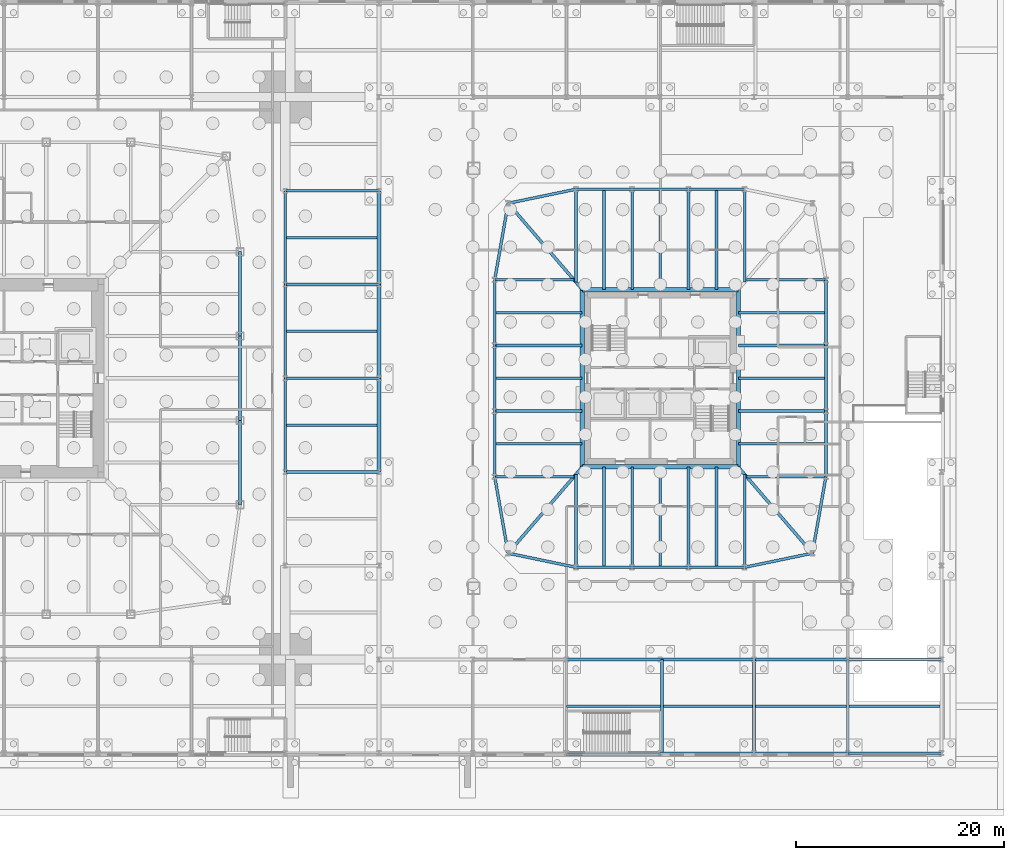
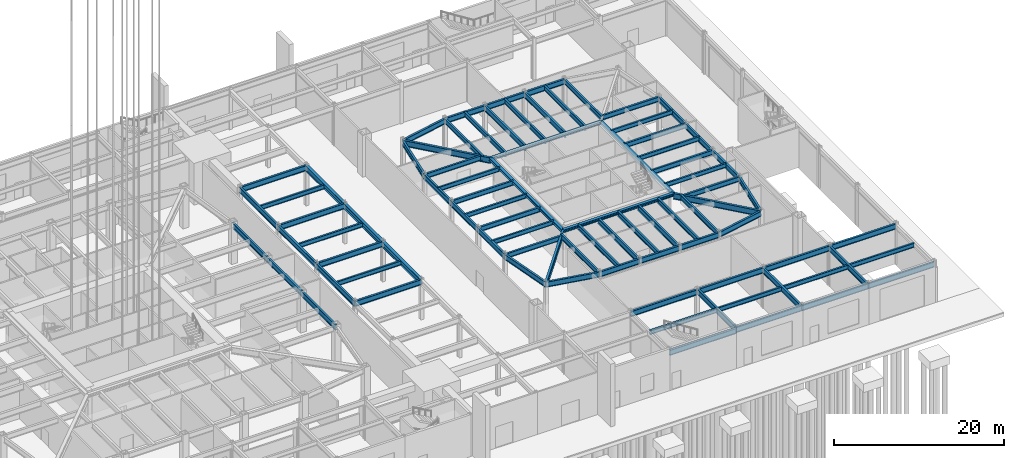
# One storey, part 10 of 37: 84 beams.
"""IFC4 building model written with IfcOpenShell, lengths in metres."""

from ifc_helpers import new_model, si_unit, direction, frame, origin, origin_2d, place, context, subcontext, project, spatial, i_section, extrude, material, material_profile, profile_set, type_object, element, save


model = new_model("IFC4")

# Units and contexts
model_context = context("Model", 3, precision=1e-05, world=origin(), true_north=direction((0.0, 1.0)))
body_context = subcontext(model_context, "Body", "Model", "MODEL_VIEW")
ifc_project = project(units=[si_unit("LENGTHUNIT", "METRE"), si_unit("AREAUNIT", "SQUARE_METRE"), si_unit("VOLUMEUNIT", "CUBIC_METRE"), si_unit("PLANEANGLEUNIT", "RADIAN"), si_unit("MASSUNIT", "GRAM", prefix="KILO")], contexts=[model_context])

# Site, building, storey
site_placement = place(None, origin())
site = spatial("IfcSite", under=ifc_project, at=site_placement, CompositionType="ELEMENT")
building_placement = place(site_placement, origin())
building = spatial("IfcBuilding", under=site, at=building_placement, Name="Iwan Alto Co-Living Towers", CompositionType="ELEMENT")
storey_placement = place(building_placement, origin())
storey = spatial("IfcBuildingStorey", under=building, at=storey_placement, Name="L00", CompositionType="ELEMENT", Elevation=0.0)

# Beams
ifc_material_1 = material(Name="Steel ASTM A992 Gr 50", Category="steel")
ifc_material_profile_1 = material_profile(ifc_material_1, i_section(OverallWidth=0.2666015625, OverallDepth=0.76953125, WebThickness=0.015625, FlangeThickness=0.025390625, at=origin_2d()), Name="W30X132")
ifc_profile_set_1 = profile_set([ifc_material_profile_1], Name="Steel ASTM A992 Gr 50")
beam_type_1 = type_object("IfcBeamType", Name="PODIUM BEAM W30X132", PredefinedType="BEAM", material=ifc_profile_set_1)
for number, where, z_axis, x_axis, name in (
    (1, (27.0, -9.0, 5.365234375), (1.0, 0.0, 0.0), (0.0, 1.0, 0.0), "Podium beam 8/D-9/D L01"),
    (2, (27.0, -9.0, 5.365234375), (0.0, 1.0, 0.0), (-1.0, 0.0, 0.0), "Podium beam 8/D-8/E L01"),
    (3, (27.0, 0.0, 5.365234375), (1.0, 0.0, 0.0), (0.0, 1.0, 0.0), "Podium beam 8/E-9/E L01"),
    (4, (27.0, 0.0, 5.365234375), (0.0, 1.0, 0.0), (-1.0, 0.0, 0.0), "Podium beam 8/E-8/F L01"),
    (5, (27.0, 9.0, 5.365234375), (1.0, 0.0, 0.0), (0.0, 1.0, 0.0), "Podium beam 8/F-9/F L01"),
    (6, (27.0, 9.0, 5.365234375), (0.0, 1.0, 0.0), (-1.0, 0.0, 0.0), "Podium beam 8/F-8/G L01"),
    (7, (27.0, 18.0, 5.365234375), (1.0, 0.0, 0.0), (0.0, 1.0, 0.0), "Podium beam 8/G-9/G L01"),
    (8, (54.0, -36.1533203125, 5.365234375), (1.0, 0.0, 0.0), (0.0, 1.0, 0.0), "Podium beam 11/A-12/A L01"),
    (9, (54.0, -27.0, 5.365234375), (1.0, 0.0, 0.0), (0.0, 1.0, 0.0), "Podium beam 11/B-12/B L01"),
    (10, (63.0, -36.0, 5.365234375), (1.0, 0.0, 0.0), (0.0, 1.0, 0.0), "Podium beam 12/A-13/A L01"),
    (11, (63.1533203125, -36.0, 5.365234375), (0.0, 1.0, 0.0), (-1.0, 0.0, 0.0), "Podium beam 12/A-12/B L01"),
    (12, (63.0, -27.0, 5.365234375), (1.0, 0.0, 0.0), (0.0, 1.0, 0.0), "Podium beam 12/B-13/B L01"),
    (13, (72.0, -36.0, 5.365234375), (1.0, 0.0, 0.0), (0.0, 1.0, 0.0), "Podium beam 13/A-14/A L01"),
    (14, (72.0, -36.0, 5.365234375), (0.0, 1.0, 0.0), (-1.0, 0.0, 0.0), "Podium beam 13/A-13/B L01"),
    (15, (72.0, -27.0, 5.365234375), (1.0, 0.0, 0.0), (0.0, 1.0, 0.0), "Podium beam 13/B-14/B L01"),
    (16, (81.0, -36.0, 5.365234375), (1.0, 0.0, 0.0), (0.0, 1.0, 0.0), "Podium beam 14/A-15/A L01"),
    (17, (81.0, -36.0, 5.365234375), (0.0, 1.0, 0.0), (-1.0, 0.0, 0.0), "Podium beam 14/A-14/B L01"),
    (18, (81.0, -27.0, 5.365234375), (1.0, 0.0, 0.0), (0.0, 1.0, 0.0), "Podium beam 14/B-15/B L01"),
):
    element("IfcBeam", number, at=place(storey_placement, frame(where, z_axis=z_axis, x_axis=x_axis)), inside=storey, type_object=beam_type_1, Name=name, PredefinedType="BEAM", context=body_context, shape_type="SweptSolid", body=[
        extrude(i_section(OverallWidth=0.2666015625, OverallDepth=0.76953125, WebThickness=0.015625, FlangeThickness=0.025390625, at=origin_2d()), origin(), (0.0, 0.0, 1.0), 9.0),
    ])
ifc_material_2 = material(Name="Steel ASTM A992 Gr 50", Category="steel")
ifc_material_profile_2 = material_profile(ifc_material_2, i_section(OverallWidth=0.381103515625, OverallDepth=0.772216796875, WebThickness=0.0166015625, FlangeThickness=0.027099609375, at=origin_2d()), Name="W30X173")
ifc_profile_set_2 = profile_set([ifc_material_profile_2], Name="Steel ASTM A992 Gr 50")
beam_type_2 = type_object("IfcBeamType", Name="PODIUM JOINT BEAM W30X173", PredefinedType="BEAM", material=ifc_profile_set_2)
for number, where, z_axis, x_axis, name in (
    (19, (36.0, -9.0, 5.364013671875), (0.0, 1.0, 0.0), (-1.0, 0.0, 0.0), "Podium beam 9/D-9/E L01"),
    (20, (36.0, 0.0, 5.364013671875), (0.0, 1.0, 0.0), (-1.0, 0.0, 0.0), "Podium beam 9/E-9/F L01"),
    (21, (36.0, 9.0, 5.364013671875), (0.0, 1.0, 0.0), (-1.0, 0.0, 0.0), "Podium beam 9/F-9/G L01"),
):
    element("IfcBeam", number, at=place(storey_placement, frame(where, z_axis=z_axis, x_axis=x_axis)), inside=storey, type_object=beam_type_2, Name=name, PredefinedType="BEAM", context=body_context, shape_type="SweptSolid", body=[
        extrude(i_section(OverallWidth=0.381103515625, OverallDepth=0.772216796875, WebThickness=0.0166015625, FlangeThickness=0.027099609375, at=origin_2d()), origin(), (0.0, 0.0, 1.0), 9.0),
    ])
ifc_material_3 = material(Name="Steel ASTM A992 Gr 50", Category="steel")
ifc_material_profile_3 = material_profile(ifc_material_3, i_section(OverallWidth=0.23046875, OverallDepth=0.6171875, WebThickness=0.01318359375, FlangeThickness=0.022216796875, at=origin_2d()), Name="W24X94")
ifc_profile_set_3 = profile_set([ifc_material_profile_3], Name="Steel ASTM A992 Gr 50")
beam_type_3 = type_object("IfcBeamType", Name="PODIUM SECONDARY BEAM W24X94", PredefinedType="JOIST", material=ifc_profile_set_3)
for number, where, z_axis, x_axis, name in (
    (22, (27.13330078125, -4.5, 5.44140625), (1.0, 0.0, 0.0), (0.0, 1.0, 0.0), "Podium secondary beam 8/D L01"),
    (23, (27.13330078125, 4.5, 5.44140625), (1.0, 0.0, 0.0), (0.0, 1.0, 0.0), "Podium secondary beam 8/E L01"),
    (24, (27.13330078125, 13.5, 5.44140625), (1.0, 0.0, 0.0), (0.0, 1.0, 0.0), "Podium secondary beam 8/F L01"),
):
    element("IfcBeam", number, at=place(storey_placement, frame(where, z_axis=z_axis, x_axis=x_axis)), inside=storey, type_object=beam_type_3, Name=name, PredefinedType="JOIST", context=body_context, shape_type="SweptSolid", body=[
        extrude(i_section(OverallWidth=0.23046875, OverallDepth=0.6171875, WebThickness=0.01318359375, FlangeThickness=0.022216796875, at=origin_2d()), origin(), (0.0, 0.0, 1.0), 8.67626953125),
    ])
beam_1_placement = place(storey_placement, frame((53.97998046875, -31.5, 5.44140625), z_axis=(1.0, 0.0, 0.0), x_axis=(0.0, 1.0, 0.0)))
element("IfcBeam", 25, at=beam_1_placement, inside=storey, type_object=beam_type_3, Name="Podium secondary beam 11/A L01", PredefinedType="JOIST", context=body_context, shape_type="SweptSolid", body=[
    extrude(i_section(OverallWidth=0.23046875, OverallDepth=0.6171875, WebThickness=0.01318359375, FlangeThickness=0.022216796875, at=origin_2d()), origin(), (0.0, 0.0, 1.0), 9.0400390625),
])
beam_2_placement = place(storey_placement, frame((63.28662109375, -31.5, 5.44140625), z_axis=(1.0, 0.0, 0.0), x_axis=(0.0, 1.0, 0.0)))
element("IfcBeam", 26, at=beam_2_placement, inside=storey, type_object=beam_type_3, Name="Podium secondary beam 12/A L01", PredefinedType="JOIST", context=body_context, shape_type="SweptSolid", body=[
    extrude(i_section(OverallWidth=0.23046875, OverallDepth=0.6171875, WebThickness=0.01318359375, FlangeThickness=0.022216796875, at=origin_2d()), origin(), (0.0, 0.0, 1.0), 8.580078125),
])
for number, where, z_axis, x_axis, name in (
    (27, (72.13330078125, -31.5, 5.44140625), (1.0, 0.0, 0.0), (0.0, 1.0, 0.0), "Podium secondary beam 13/A L01"),
    (28, (81.13330078125, -31.5, 5.44140625), (1.0, 0.0, 0.0), (0.0, 1.0, 0.0), "Podium secondary beam 14/A L01"),
):
    element("IfcBeam", number, at=place(storey_placement, frame(where, z_axis=z_axis, x_axis=x_axis)), inside=storey, type_object=beam_type_3, Name=name, PredefinedType="JOIST", context=body_context, shape_type="SweptSolid", body=[
        extrude(i_section(OverallWidth=0.23046875, OverallDepth=0.6171875, WebThickness=0.01318359375, FlangeThickness=0.022216796875, at=origin_2d()), origin(), (0.0, 0.0, 1.0), 8.7333984375),
    ])
ifc_material_4 = material(Name="Steel ASTM A992 Gr 50", Category="steel")
ifc_material_profile_4 = material_profile(ifc_material_4, i_section(OverallWidth=0.2666015625, OverallDepth=0.761962890625, WebThickness=0.014404296875, FlangeThickness=0.021484375, at=origin_2d()), Name="W30X116")
ifc_profile_set_4 = profile_set([ifc_material_profile_4], Name="Steel ASTM A992 Gr 50")
beam_type_4 = type_object("IfcBeamType", Name="T1 EDGE BEAM W30X116", PredefinedType="BEAM", material=ifc_profile_set_4)
beam_3_placement = place(storey_placement, frame((22.64990234375, -12.14990234375, 5.368896484375), z_axis=(0.0, 1.0, 0.0), x_axis=(-1.0, 0.0, 0.0)))
element("IfcBeam", 29, at=beam_3_placement, inside=storey, type_object=beam_type_4, Name="T1 edge beam E1 L01", PredefinedType="BEAM", context=body_context, shape_type="SweptSolid", body=[
    extrude(i_section(OverallWidth=0.2666015625, OverallDepth=0.761962890625, WebThickness=0.014404296875, FlangeThickness=0.021484375, at=origin_2d()), origin(), (0.0, 0.0, 1.0), 8.099853515625),
])
beam_4_placement = place(storey_placement, frame((22.64990234375, -4.050048828125, 5.368896484375), z_axis=(0.0, 1.0, 0.0), x_axis=(-1.0, 0.0, 0.0)))
element("IfcBeam", 30, at=beam_4_placement, inside=storey, type_object=beam_type_4, Name="T1 edge beam E2 L01", PredefinedType="BEAM", context=body_context, shape_type="SweptSolid", body=[
    extrude(i_section(OverallWidth=0.2666015625, OverallDepth=0.761962890625, WebThickness=0.014404296875, FlangeThickness=0.021484375, at=origin_2d()), origin(), (0.0, 0.0, 1.0), 8.10009765625),
])
beam_5_placement = place(storey_placement, frame((22.64990234375, 4.050048828125, 5.368896484375), z_axis=(0.0, 1.0, 0.0), x_axis=(-1.0, 0.0, 0.0)))
element("IfcBeam", 31, at=beam_5_placement, inside=storey, type_object=beam_type_4, Name="T1 edge beam E3 L01", PredefinedType="BEAM", context=body_context, shape_type="SweptSolid", body=[
    extrude(i_section(OverallWidth=0.2666015625, OverallDepth=0.761962890625, WebThickness=0.014404296875, FlangeThickness=0.021484375, at=origin_2d()), origin(), (0.0, 0.0, 1.0), 8.099853515625),
])
ifc_material_5 = material(Name="Steel ASTM A992 Gr 50", Category="steel")
ifc_material_profile_5 = material_profile(ifc_material_5, i_section(OverallWidth=0.40380859375, OverallDepth=0.406494140625, WebThickness=0.027099609375, FlangeThickness=0.043701171875, at=origin_2d()), Name="W14X233")
ifc_profile_set_5 = profile_set([ifc_material_profile_5], Name="Steel ASTM A992 Gr 50")
beam_type_5 = type_object("IfcBeamType", Name="T2 CORE LEDGER BEAM W14X233", PredefinedType="BEAM", material=ifc_profile_set_5)
beam_6_placement = place(storey_placement, frame((55.5263671875, -8.501953125, 5.546875), z_axis=(1.0, 0.0, 0.0), x_axis=(0.0, 1.0, 0.0)))
element("IfcBeam", 32, at=beam_6_placement, inside=storey, type_object=beam_type_5, Name="T2 core ledger beam S L01", PredefinedType="BEAM", context=body_context, shape_type="SweptSolid", body=[
    extrude(i_section(OverallWidth=0.40380859375, OverallDepth=0.406494140625, WebThickness=0.027099609375, FlangeThickness=0.043701171875, at=origin_2d()), origin(), (0.0, 0.0, 1.0), 14.947265625),
])
beam_7_placement = place(storey_placement, frame((70.501953125, -8.534912109375, 5.546875), z_axis=(0.0, 1.0, 0.0), x_axis=(-1.0, 0.0, 0.0)))
element("IfcBeam", 33, at=beam_7_placement, inside=storey, type_object=beam_type_5, Name="T2 core ledger beam E L01", PredefinedType="BEAM", context=body_context, shape_type="SweptSolid", body=[
    extrude(i_section(OverallWidth=0.40380859375, OverallDepth=0.406494140625, WebThickness=0.027099609375, FlangeThickness=0.043701171875, at=origin_2d()), origin(), (0.0, 0.0, 1.0), 17.06982421875),
])
beam_8_placement = place(storey_placement, frame((70.4736328125, 8.501953125, 5.546875), z_axis=(-1.0, 0.0, 0.0), x_axis=(0.0, -1.0, 0.0)))
element("IfcBeam", 34, at=beam_8_placement, inside=storey, type_object=beam_type_5, Name="T2 core ledger beam N L01", PredefinedType="BEAM", context=body_context, shape_type="SweptSolid", body=[
    extrude(i_section(OverallWidth=0.40380859375, OverallDepth=0.406494140625, WebThickness=0.027099609375, FlangeThickness=0.043701171875, at=origin_2d()), origin(), (0.0, 0.0, 1.0), 14.947265625),
])
beam_9_placement = place(storey_placement, frame((55.498046875, 8.534912109375, 5.546875), z_axis=(0.0, -1.0, 0.0), x_axis=(1.0, 0.0, 0.0)))
element("IfcBeam", 35, at=beam_9_placement, inside=storey, type_object=beam_type_5, Name="T2 core ledger beam W L01", PredefinedType="BEAM", context=body_context, shape_type="SweptSolid", body=[
    extrude(i_section(OverallWidth=0.40380859375, OverallDepth=0.406494140625, WebThickness=0.027099609375, FlangeThickness=0.043701171875, at=origin_2d()), origin(), (0.0, 0.0, 1.0), 17.06982421875),
])
ifc_material_6 = material(Name="Steel ASTM A992 Gr 50", Category="steel")
ifc_material_profile_6 = material_profile(ifc_material_6, i_section(OverallWidth=0.2919921875, OverallDepth=0.8408203125, WebThickness=0.0146484375, FlangeThickness=0.021728515625, at=origin_2d()), Name="W33X130")
ifc_profile_set_6 = profile_set([ifc_material_profile_6], Name="Steel ASTM A992 Gr 50")
beam_type_6 = type_object("IfcBeamType", Name="T2 CORNER GIRDER W33X130", PredefinedType="BEAM", material=ifc_profile_set_6)
for number, where, z_axis, x_axis, name in (
    (36, (48.393798828125, -16.797119140625, 5.32958984375), (0.651972301827, 0.758242782788, 0.0), (-0.758242782788, 0.651972301827, 0.0), "T2 corner girder CSW L01"),
    (37, (77.606201171875, -16.797119140625, 5.32958984375), (-0.651972301827, 0.758242782788, 0.0), (-0.758242782788, -0.651972301827, 0.0), "T2 corner girder CSE L01"),
    (38, (48.393798828125, 16.797119140625, 5.32958984375), (0.651972301827, -0.758242782788, 0.0), (0.758242782788, 0.651972301827, 0.0), "T2 corner girder CNW L01"),
):
    element("IfcBeam", number, at=place(storey_placement, frame(where, z_axis=z_axis, x_axis=x_axis)), inside=storey, type_object=beam_type_6, Name=name, PredefinedType="BEAM", context=body_context, shape_type="SweptSolid", body=[
        extrude(i_section(OverallWidth=0.2919921875, OverallDepth=0.8408203125, WebThickness=0.0146484375, FlangeThickness=0.021728515625, at=origin_2d()), origin(), (0.0, 0.0, 1.0), 10.93994140625),
    ])
ifc_material_7 = material(Name="Steel ASTM A992 Gr 50", Category="steel")
ifc_material_profile_7 = material_profile(ifc_material_7, i_section(OverallWidth=0.2666015625, OverallDepth=0.761962890625, WebThickness=0.014404296875, FlangeThickness=0.021484375, at=origin_2d()), Name="W30X116")
ifc_profile_set_7 = profile_set([ifc_material_profile_7], Name="Steel ASTM A992 Gr 50")
beam_type_7 = type_object("IfcBeamType", Name="T2 EDGE BEAM W30X116", PredefinedType="BEAM", material=ifc_profile_set_7)
beam_10_placement = place(storey_placement, frame((48.393798828125, -16.797119140625, 5.368896484375), z_axis=(0.979060119423, -0.203571320564, 0.0), x_axis=(0.203571320564, 0.979060119423, 0.0)))
element("IfcBeam", 39, at=beam_10_placement, inside=storey, type_object=beam_type_7, Name="T2 edge beam CSW L01", PredefinedType="BEAM", context=body_context, shape_type="SweptSolid", body=[
    extrude(i_section(OverallWidth=0.2666015625, OverallDepth=0.761962890625, WebThickness=0.014404296875, FlangeThickness=0.021484375, at=origin_2d()), origin(), (0.0, 0.0, 1.0), 6.645263671875),
])
beam_11_placement = place(storey_placement, frame((54.89990234375, -18.14990234375, 5.368896484375), z_axis=(1.0, 0.0, 0.0), x_axis=(0.0, 1.0, 0.0)))
element("IfcBeam", 40, at=beam_11_placement, inside=storey, type_object=beam_type_7, Name="T2 edge beam S1 L01", PredefinedType="BEAM", context=body_context, shape_type="SweptSolid", body=[
    extrude(i_section(OverallWidth=0.2666015625, OverallDepth=0.761962890625, WebThickness=0.014404296875, FlangeThickness=0.021484375, at=origin_2d()), origin(), (0.0, 0.0, 1.0), 5.400146484375),
])
beam_12_placement = place(storey_placement, frame((60.300048828125, -18.14990234375, 5.368896484375), z_axis=(1.0, 0.0, 0.0), x_axis=(0.0, 1.0, 0.0)))
element("IfcBeam", 41, at=beam_12_placement, inside=storey, type_object=beam_type_7, Name="T2 edge beam S2 L01", PredefinedType="BEAM", context=body_context, shape_type="SweptSolid", body=[
    extrude(i_section(OverallWidth=0.2666015625, OverallDepth=0.761962890625, WebThickness=0.014404296875, FlangeThickness=0.021484375, at=origin_2d()), origin(), (0.0, 0.0, 1.0), 5.39990234375),
])
beam_13_placement = place(storey_placement, frame((65.699951171875, -18.14990234375, 5.368896484375), z_axis=(1.0, 0.0, 0.0), x_axis=(0.0, 1.0, 0.0)))
element("IfcBeam", 42, at=beam_13_placement, inside=storey, type_object=beam_type_7, Name="T2 edge beam S3 L01", PredefinedType="BEAM", context=body_context, shape_type="SweptSolid", body=[
    extrude(i_section(OverallWidth=0.2666015625, OverallDepth=0.761962890625, WebThickness=0.014404296875, FlangeThickness=0.021484375, at=origin_2d()), origin(), (0.0, 0.0, 1.0), 5.400146484375),
])
beam_14_placement = place(storey_placement, frame((71.10009765625, -18.14990234375, 5.368896484375), z_axis=(0.979060119423, 0.203571320564, 0.0), x_axis=(-0.203571320564, 0.979060119423, 0.0)))
element("IfcBeam", 43, at=beam_14_placement, inside=storey, type_object=beam_type_7, Name="T2 edge beam S4 L01", PredefinedType="BEAM", context=body_context, shape_type="SweptSolid", body=[
    extrude(i_section(OverallWidth=0.2666015625, OverallDepth=0.761962890625, WebThickness=0.014404296875, FlangeThickness=0.021484375, at=origin_2d()), origin(), (0.0, 0.0, 1.0), 6.645263671875),
])
beam_15_placement = place(storey_placement, frame((77.606201171875, -16.797119140625, 5.368896484375), z_axis=(0.173413807283, 0.98484905008, 0.0), x_axis=(-0.98484905008, 0.173413807283, 0.0)))
element("IfcBeam", 44, at=beam_15_placement, inside=storey, type_object=beam_type_7, Name="T2 edge beam CSE L01", PredefinedType="BEAM", context=body_context, shape_type="SweptSolid", body=[
    extrude(i_section(OverallWidth=0.2666015625, OverallDepth=0.761962890625, WebThickness=0.014404296875, FlangeThickness=0.021484375, at=origin_2d()), origin(), (0.0, 0.0, 1.0), 7.460205078125),
])
beam_16_placement = place(storey_placement, frame((78.89990234375, -9.449951171875, 5.368896484375), z_axis=(0.0, 1.0, 0.0), x_axis=(-1.0, 0.0, 0.0)))
element("IfcBeam", 45, at=beam_16_placement, inside=storey, type_object=beam_type_7, Name="T2 edge beam E1 L01", PredefinedType="BEAM", context=body_context, shape_type="SweptSolid", body=[
    extrude(i_section(OverallWidth=0.2666015625, OverallDepth=0.761962890625, WebThickness=0.014404296875, FlangeThickness=0.021484375, at=origin_2d()), origin(), (0.0, 0.0, 1.0), 6.300048828125),
])
beam_17_placement = place(storey_placement, frame((78.89990234375, -3.14990234375, 5.368896484375), z_axis=(0.0, 1.0, 0.0), x_axis=(-1.0, 0.0, 0.0)))
element("IfcBeam", 46, at=beam_17_placement, inside=storey, type_object=beam_type_7, Name="T2 edge beam E2 L01", PredefinedType="BEAM", context=body_context, shape_type="SweptSolid", body=[
    extrude(i_section(OverallWidth=0.2666015625, OverallDepth=0.761962890625, WebThickness=0.014404296875, FlangeThickness=0.021484375, at=origin_2d()), origin(), (0.0, 0.0, 1.0), 6.2998046875),
])
beam_18_placement = place(storey_placement, frame((78.89990234375, 3.14990234375, 5.368896484375), z_axis=(0.0, 1.0, 0.0), x_axis=(-1.0, 0.0, 0.0)))
element("IfcBeam", 47, at=beam_18_placement, inside=storey, type_object=beam_type_7, Name="T2 edge beam E3 L01", PredefinedType="BEAM", context=body_context, shape_type="SweptSolid", body=[
    extrude(i_section(OverallWidth=0.2666015625, OverallDepth=0.761962890625, WebThickness=0.014404296875, FlangeThickness=0.021484375, at=origin_2d()), origin(), (0.0, 0.0, 1.0), 6.300048828125),
])
beam_19_placement = place(storey_placement, frame((71.10009765625, 18.14990234375, 5.368896484375), z_axis=(-1.0, 0.0, 0.0), x_axis=(0.0, -1.0, 0.0)))
element("IfcBeam", 48, at=beam_19_placement, inside=storey, type_object=beam_type_7, Name="T2 edge beam N1 L01", PredefinedType="BEAM", context=body_context, shape_type="SweptSolid", body=[
    extrude(i_section(OverallWidth=0.2666015625, OverallDepth=0.761962890625, WebThickness=0.014404296875, FlangeThickness=0.021484375, at=origin_2d()), origin(), (0.0, 0.0, 1.0), 5.400146484375),
])
beam_20_placement = place(storey_placement, frame((65.699951171875, 18.14990234375, 5.368896484375), z_axis=(-1.0, 0.0, 0.0), x_axis=(0.0, -1.0, 0.0)))
element("IfcBeam", 49, at=beam_20_placement, inside=storey, type_object=beam_type_7, Name="T2 edge beam N2 L01", PredefinedType="BEAM", context=body_context, shape_type="SweptSolid", body=[
    extrude(i_section(OverallWidth=0.2666015625, OverallDepth=0.761962890625, WebThickness=0.014404296875, FlangeThickness=0.021484375, at=origin_2d()), origin(), (0.0, 0.0, 1.0), 5.39990234375),
])
beam_21_placement = place(storey_placement, frame((60.300048828125, 18.14990234375, 5.368896484375), z_axis=(-1.0, 0.0, 0.0), x_axis=(0.0, -1.0, 0.0)))
element("IfcBeam", 50, at=beam_21_placement, inside=storey, type_object=beam_type_7, Name="T2 edge beam N3 L01", PredefinedType="BEAM", context=body_context, shape_type="SweptSolid", body=[
    extrude(i_section(OverallWidth=0.2666015625, OverallDepth=0.761962890625, WebThickness=0.014404296875, FlangeThickness=0.021484375, at=origin_2d()), origin(), (0.0, 0.0, 1.0), 5.400146484375),
])
beam_22_placement = place(storey_placement, frame((54.89990234375, 18.14990234375, 5.368896484375), z_axis=(-0.979060119423, -0.203571320564, 0.0), x_axis=(0.203571320564, -0.979060119423, 0.0)))
element("IfcBeam", 51, at=beam_22_placement, inside=storey, type_object=beam_type_7, Name="T2 edge beam N4 L01", PredefinedType="BEAM", context=body_context, shape_type="SweptSolid", body=[
    extrude(i_section(OverallWidth=0.2666015625, OverallDepth=0.761962890625, WebThickness=0.014404296875, FlangeThickness=0.021484375, at=origin_2d()), origin(), (0.0, 0.0, 1.0), 6.645263671875),
])
beam_23_placement = place(storey_placement, frame((48.393798828125, 16.797119140625, 5.368896484375), z_axis=(-0.173413807283, -0.98484905008, 0.0), x_axis=(0.98484905008, -0.173413807283, 0.0)))
element("IfcBeam", 52, at=beam_23_placement, inside=storey, type_object=beam_type_7, Name="T2 edge beam CNW L01", PredefinedType="BEAM", context=body_context, shape_type="SweptSolid", body=[
    extrude(i_section(OverallWidth=0.2666015625, OverallDepth=0.761962890625, WebThickness=0.014404296875, FlangeThickness=0.021484375, at=origin_2d()), origin(), (0.0, 0.0, 1.0), 7.460205078125),
])
beam_24_placement = place(storey_placement, frame((47.10009765625, 9.449951171875, 5.368896484375), z_axis=(0.0, -1.0, 0.0), x_axis=(1.0, 0.0, 0.0)))
element("IfcBeam", 53, at=beam_24_placement, inside=storey, type_object=beam_type_7, Name="T2 edge beam W1 L01", PredefinedType="BEAM", context=body_context, shape_type="SweptSolid", body=[
    extrude(i_section(OverallWidth=0.2666015625, OverallDepth=0.761962890625, WebThickness=0.014404296875, FlangeThickness=0.021484375, at=origin_2d()), origin(), (0.0, 0.0, 1.0), 6.300048828125),
])
beam_25_placement = place(storey_placement, frame((47.10009765625, 3.14990234375, 5.368896484375), z_axis=(0.0, -1.0, 0.0), x_axis=(1.0, 0.0, 0.0)))
element("IfcBeam", 54, at=beam_25_placement, inside=storey, type_object=beam_type_7, Name="T2 edge beam W2 L01", PredefinedType="BEAM", context=body_context, shape_type="SweptSolid", body=[
    extrude(i_section(OverallWidth=0.2666015625, OverallDepth=0.761962890625, WebThickness=0.014404296875, FlangeThickness=0.021484375, at=origin_2d()), origin(), (0.0, 0.0, 1.0), 6.2998046875),
])
beam_26_placement = place(storey_placement, frame((47.10009765625, -3.14990234375, 5.368896484375), z_axis=(0.0, -1.0, 0.0), x_axis=(1.0, 0.0, 0.0)))
element("IfcBeam", 55, at=beam_26_placement, inside=storey, type_object=beam_type_7, Name="T2 edge beam W3 L01", PredefinedType="BEAM", context=body_context, shape_type="SweptSolid", body=[
    extrude(i_section(OverallWidth=0.2666015625, OverallDepth=0.761962890625, WebThickness=0.014404296875, FlangeThickness=0.021484375, at=origin_2d()), origin(), (0.0, 0.0, 1.0), 6.300048828125),
])
beam_27_placement = place(storey_placement, frame((47.10009765625, -9.449951171875, 5.368896484375), z_axis=(0.173413807283, -0.98484905008, 0.0), x_axis=(0.98484905008, 0.173413807283, 0.0)))
element("IfcBeam", 56, at=beam_27_placement, inside=storey, type_object=beam_type_7, Name="T2 edge beam W4 L01", PredefinedType="BEAM", context=body_context, shape_type="SweptSolid", body=[
    extrude(i_section(OverallWidth=0.2666015625, OverallDepth=0.761962890625, WebThickness=0.014404296875, FlangeThickness=0.021484375, at=origin_2d()), origin(), (0.0, 0.0, 1.0), 7.460205078125),
])
ifc_material_8 = material(Name="Steel ASTM A992 Gr 50", Category="steel")
ifc_material_profile_8 = material_profile(ifc_material_8, i_section(OverallWidth=0.25390625, OverallDepth=0.683349609375, WebThickness=0.012451171875, FlangeThickness=0.018798828125, at=origin_2d()), Name="W27X94")
ifc_profile_set_8 = profile_set([ifc_material_profile_8], Name="Steel ASTM A992 Gr 50")
beam_type_8 = type_object("IfcBeamType", Name="T2 RADIAL BEAM W27X94", PredefinedType="BEAM", material=ifc_profile_set_8)
for number, where, z_axis, x_axis, name in (
    (57, (54.89990234375, -18.14990234375, 5.408447265625), (0.0, 1.0, 0.0), (-1.0, 0.0, 0.0), "T2 radial beam S1 L01"),
    (58, (71.10009765625, -18.14990234375, 5.408447265625), (0.0, 1.0, 0.0), (-1.0, 0.0, 0.0), "T2 radial beam S4 L01"),
):
    element("IfcBeam", number, at=place(storey_placement, frame(where, z_axis=z_axis, x_axis=x_axis)), inside=storey, type_object=beam_type_8, Name=name, PredefinedType="BEAM", context=body_context, shape_type="SweptSolid", body=[
        extrude(i_section(OverallWidth=0.25390625, OverallDepth=0.683349609375, WebThickness=0.012451171875, FlangeThickness=0.018798828125, at=origin_2d()), origin(), (0.0, 0.0, 1.0), 8.91943359375),
    ])
beam_28_placement = place(storey_placement, frame((78.89990234375, -9.449951171875, 5.408447265625), z_axis=(-1.0, 0.0, 0.0), x_axis=(0.0, -1.0, 0.0)))
element("IfcBeam", 59, at=beam_28_placement, inside=storey, type_object=beam_type_8, Name="T2 radial beam E1 L01", PredefinedType="BEAM", context=body_context, shape_type="SweptSolid", body=[
    extrude(i_section(OverallWidth=0.25390625, OverallDepth=0.683349609375, WebThickness=0.012451171875, FlangeThickness=0.018798828125, at=origin_2d()), origin(), (0.0, 0.0, 1.0), 7.611083984375),
])
for number, where, z_axis, x_axis, name in (
    (60, (78.89990234375, -3.14990234375, 5.408447265625), (-1.0, 0.0, 0.0), (0.0, -1.0, 0.0), "T2 radial beam E2 L01"),
    (61, (78.89990234375, 3.14990234375, 5.408447265625), (-1.0, 0.0, 0.0), (0.0, -1.0, 0.0), "T2 radial beam E3 L01"),
):
    element("IfcBeam", number, at=place(storey_placement, frame(where, z_axis=z_axis, x_axis=x_axis)), inside=storey, type_object=beam_type_8, Name=name, PredefinedType="BEAM", context=body_context, shape_type="SweptSolid", body=[
        extrude(i_section(OverallWidth=0.25390625, OverallDepth=0.683349609375, WebThickness=0.012451171875, FlangeThickness=0.018798828125, at=origin_2d()), origin(), (0.0, 0.0, 1.0), 8.39794921875),
    ])
beam_29_placement = place(storey_placement, frame((78.89990234375, 9.449951171875, 5.408447265625), z_axis=(-1.0, 0.0, 0.0), x_axis=(0.0, -1.0, 0.0)))
element("IfcBeam", 62, at=beam_29_placement, inside=storey, type_object=beam_type_8, Name="T2 radial beam E4 L01", PredefinedType="BEAM", context=body_context, shape_type="SweptSolid", body=[
    extrude(i_section(OverallWidth=0.25390625, OverallDepth=0.683349609375, WebThickness=0.012451171875, FlangeThickness=0.018798828125, at=origin_2d()), origin(), (0.0, 0.0, 1.0), 7.611083984375),
])
for number, where, z_axis, x_axis, name in (
    (63, (71.10009765625, 18.14990234375, 5.408447265625), (0.0, -1.0, 0.0), (1.0, 0.0, 0.0), "T2 radial beam N1 L01"),
    (64, (54.89990234375, 18.14990234375, 5.408447265625), (0.0, -1.0, 0.0), (1.0, 0.0, 0.0), "T2 radial beam N4 L01"),
):
    element("IfcBeam", number, at=place(storey_placement, frame(where, z_axis=z_axis, x_axis=x_axis)), inside=storey, type_object=beam_type_8, Name=name, PredefinedType="BEAM", context=body_context, shape_type="SweptSolid", body=[
        extrude(i_section(OverallWidth=0.25390625, OverallDepth=0.683349609375, WebThickness=0.012451171875, FlangeThickness=0.018798828125, at=origin_2d()), origin(), (0.0, 0.0, 1.0), 8.91943359375),
    ])
beam_30_placement = place(storey_placement, frame((47.10009765625, 9.449951171875, 5.408447265625), z_axis=(1.0, 0.0, 0.0), x_axis=(0.0, 1.0, 0.0)))
element("IfcBeam", 65, at=beam_30_placement, inside=storey, type_object=beam_type_8, Name="T2 radial beam W1 L01", PredefinedType="BEAM", context=body_context, shape_type="SweptSolid", body=[
    extrude(i_section(OverallWidth=0.25390625, OverallDepth=0.683349609375, WebThickness=0.012451171875, FlangeThickness=0.018798828125, at=origin_2d()), origin(), (0.0, 0.0, 1.0), 7.611083984375),
])
for number, where, z_axis, x_axis, name in (
    (66, (47.10009765625, 3.14990234375, 5.408447265625), (1.0, 0.0, 0.0), (0.0, 1.0, 0.0), "T2 radial beam W2 L01"),
    (67, (47.10009765625, -3.14990234375, 5.408447265625), (1.0, 0.0, 0.0), (0.0, 1.0, 0.0), "T2 radial beam W3 L01"),
):
    element("IfcBeam", number, at=place(storey_placement, frame(where, z_axis=z_axis, x_axis=x_axis)), inside=storey, type_object=beam_type_8, Name=name, PredefinedType="BEAM", context=body_context, shape_type="SweptSolid", body=[
        extrude(i_section(OverallWidth=0.25390625, OverallDepth=0.683349609375, WebThickness=0.012451171875, FlangeThickness=0.018798828125, at=origin_2d()), origin(), (0.0, 0.0, 1.0), 8.39794921875),
    ])
beam_31_placement = place(storey_placement, frame((47.10009765625, -9.449951171875, 5.408447265625), z_axis=(1.0, 0.0, 0.0), x_axis=(0.0, 1.0, 0.0)))
element("IfcBeam", 68, at=beam_31_placement, inside=storey, type_object=beam_type_8, Name="T2 radial beam W4 L01", PredefinedType="BEAM", context=body_context, shape_type="SweptSolid", body=[
    extrude(i_section(OverallWidth=0.25390625, OverallDepth=0.683349609375, WebThickness=0.012451171875, FlangeThickness=0.018798828125, at=origin_2d()), origin(), (0.0, 0.0, 1.0), 7.611083984375),
])
ifc_material_9 = material(Name="Steel ASTM A992 Gr 50", Category="steel")
ifc_material_profile_9 = material_profile(ifc_material_9, i_section(OverallWidth=0.2666015625, OverallDepth=0.761962890625, WebThickness=0.014404296875, FlangeThickness=0.021484375, at=origin_2d()), Name="W30X116")
ifc_profile_set_9 = profile_set([ifc_material_profile_9], Name="Steel ASTM A992 Gr 50")
beam_type_9 = type_object("IfcBeamType", Name="T2 RADIAL BEAM W30X116", PredefinedType="BEAM", material=ifc_profile_set_9)
for number, where, z_axis, x_axis, name in (
    (69, (60.300048828125, -18.14990234375, 5.368896484375), (0.0, 1.0, 0.0), (-1.0, 0.0, 0.0), "T2 radial beam S2 L01"),
    (70, (65.699951171875, -18.14990234375, 5.368896484375), (0.0, 1.0, 0.0), (-1.0, 0.0, 0.0), "T2 radial beam S3 L01"),
    (71, (65.699951171875, 18.14990234375, 5.368896484375), (0.0, -1.0, 0.0), (1.0, 0.0, 0.0), "T2 radial beam N2 L01"),
    (72, (60.300048828125, 18.14990234375, 5.368896484375), (0.0, -1.0, 0.0), (1.0, 0.0, 0.0), "T2 radial beam N3 L01"),
):
    element("IfcBeam", number, at=place(storey_placement, frame(where, z_axis=z_axis, x_axis=x_axis)), inside=storey, type_object=beam_type_9, Name=name, PredefinedType="BEAM", context=body_context, shape_type="SweptSolid", body=[
        extrude(i_section(OverallWidth=0.2666015625, OverallDepth=0.761962890625, WebThickness=0.014404296875, FlangeThickness=0.021484375, at=origin_2d()), origin(), (0.0, 0.0, 1.0), 9.64794921875),
    ])
ifc_material_10 = material(Name="Steel ASTM A992 Gr 50", Category="steel")
ifc_material_profile_10 = material_profile(ifc_material_10, i_section(OverallWidth=0.228271484375, OverallDepth=0.607177734375, WebThickness=0.01123046875, FlangeThickness=0.017333984375, at=origin_2d()), Name="W24X76")
ifc_profile_set_10 = profile_set([ifc_material_profile_10], Name="Steel ASTM A992 Gr 50")
beam_type_10 = type_object("IfcBeamType", Name="T2 SECONDARY BEAM W24X76", PredefinedType="JOIST", material=ifc_profile_set_10)
for number, where, z_axis, x_axis, name in (
    (73, (78.89990234375, -6.300048828125, 5.446533203125), (-1.0, 0.0, 0.0), (0.0, -1.0, 0.0), "T2 secondary beam E1 L01"),
    (74, (78.89990234375, 0.0, 5.446533203125), (-1.0, 0.0, 0.0), (0.0, -1.0, 0.0), "T2 secondary beam E2 L01"),
    (75, (78.89990234375, 6.300048828125, 5.446533203125), (-1.0, 0.0, 0.0), (0.0, -1.0, 0.0), "T2 secondary beam E3 L01"),
    (76, (47.10009765625, 6.300048828125, 5.446533203125), (1.0, 0.0, 0.0), (0.0, 1.0, 0.0), "T2 secondary beam W1 L01"),
    (77, (47.10009765625, 0.0, 5.446533203125), (1.0, 0.0, 0.0), (0.0, 1.0, 0.0), "T2 secondary beam W2 L01"),
    (78, (47.10009765625, -6.300048828125, 5.446533203125), (1.0, 0.0, 0.0), (0.0, 1.0, 0.0), "T2 secondary beam W3 L01"),
):
    element("IfcBeam", number, at=place(storey_placement, frame(where, z_axis=z_axis, x_axis=x_axis)), inside=storey, type_object=beam_type_10, Name=name, PredefinedType="JOIST", context=body_context, shape_type="SweptSolid", body=[
        extrude(i_section(OverallWidth=0.228271484375, OverallDepth=0.607177734375, WebThickness=0.01123046875, FlangeThickness=0.017333984375, at=origin_2d()), origin(), (0.0, 0.0, 1.0), 8.39794921875),
    ])
ifc_material_11 = material(Name="Steel ASTM A992 Gr 50", Category="steel")
ifc_material_profile_11 = material_profile(ifc_material_11, i_section(OverallWidth=0.25390625, OverallDepth=0.683349609375, WebThickness=0.012451171875, FlangeThickness=0.018798828125, at=origin_2d()), Name="W27X94")
ifc_profile_set_11 = profile_set([ifc_material_profile_11], Name="Steel ASTM A992 Gr 50")
beam_type_11 = type_object("IfcBeamType", Name="T2 SECONDARY BEAM W27X94", PredefinedType="JOIST", material=ifc_profile_set_11)
for number, where, z_axis, x_axis, name in (
    (79, (57.60009765625, -18.14990234375, 5.408447265625), (0.0, 1.0, 0.0), (-1.0, 0.0, 0.0), "T2 secondary beam S1 L01"),
    (80, (63.0, -18.14990234375, 5.408447265625), (0.0, 1.0, 0.0), (-1.0, 0.0, 0.0), "T2 secondary beam S2 L01"),
    (81, (68.39990234375, -18.14990234375, 5.408447265625), (0.0, 1.0, 0.0), (-1.0, 0.0, 0.0), "T2 secondary beam S3 L01"),
    (82, (68.39990234375, 18.14990234375, 5.408447265625), (0.0, -1.0, 0.0), (1.0, 0.0, 0.0), "T2 secondary beam N1 L01"),
    (83, (63.0, 18.14990234375, 5.408447265625), (0.0, -1.0, 0.0), (1.0, 0.0, 0.0), "T2 secondary beam N2 L01"),
    (84, (57.60009765625, 18.14990234375, 5.408447265625), (0.0, -1.0, 0.0), (1.0, 0.0, 0.0), "T2 secondary beam N3 L01"),
):
    element("IfcBeam", number, at=place(storey_placement, frame(where, z_axis=z_axis, x_axis=x_axis)), inside=storey, type_object=beam_type_11, Name=name, PredefinedType="JOIST", context=body_context, shape_type="SweptSolid", body=[
        extrude(i_section(OverallWidth=0.25390625, OverallDepth=0.683349609375, WebThickness=0.012451171875, FlangeThickness=0.018798828125, at=origin_2d()), origin(), (0.0, 0.0, 1.0), 9.64794921875),
    ])

save(model, "model.ifc")
